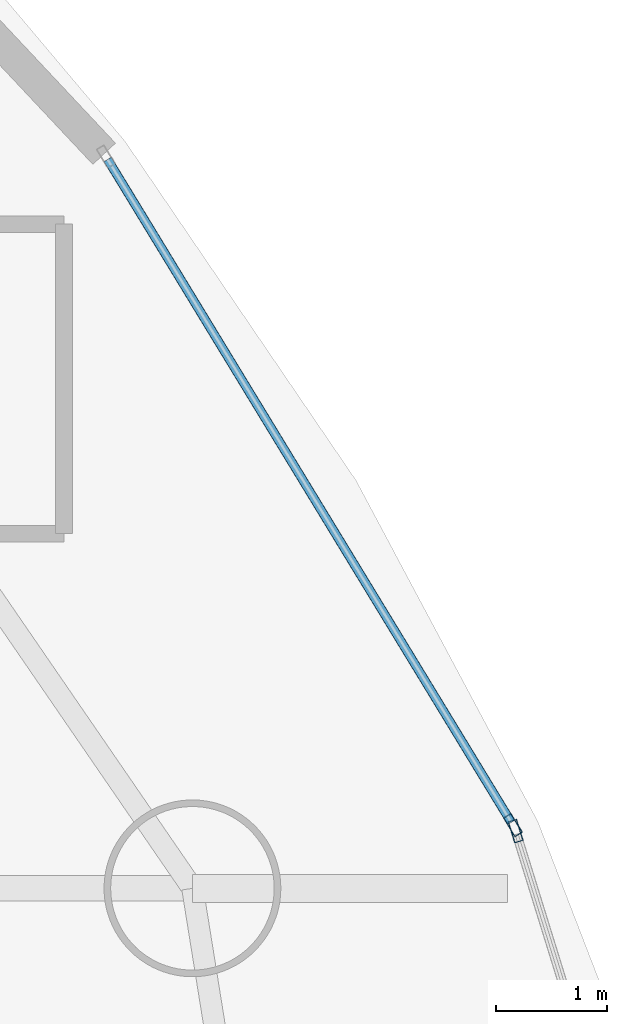
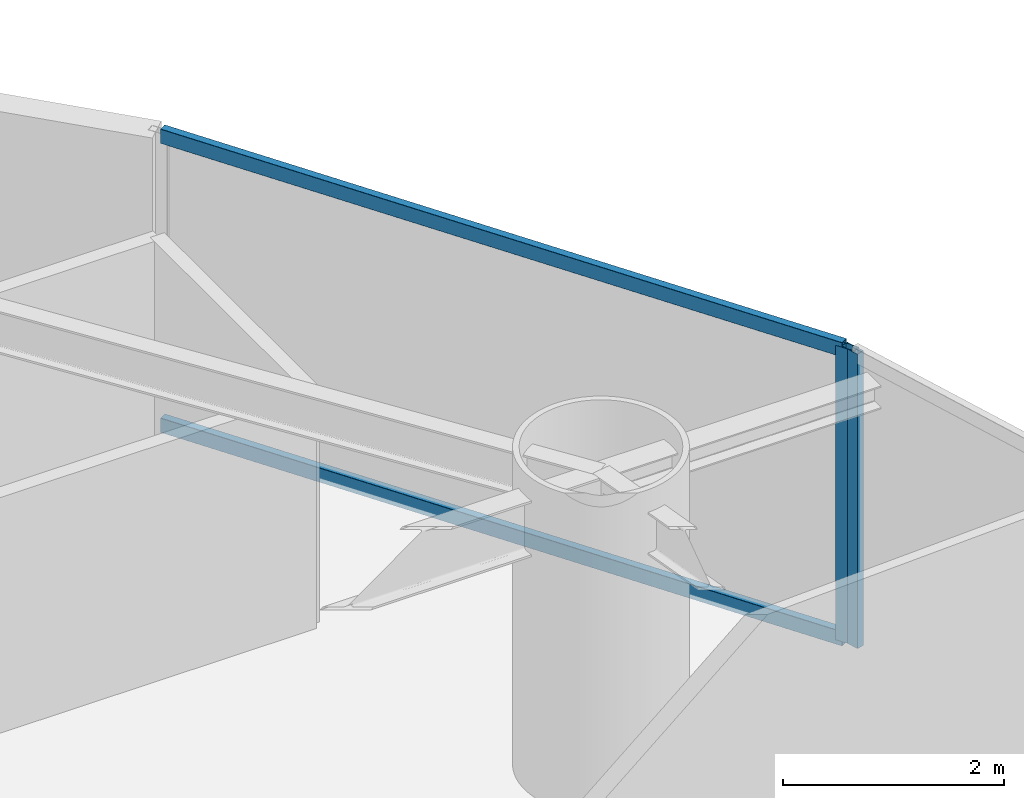
# One storey, part 15 of 30: 4 members, 2 elements without a shape of their own.
"""IFC4 building model written with IfcOpenShell, lengths in metres."""

import ifcopenshell
import ifcopenshell.guid

model = None  # the IFC model being written
_history = None  # IfcOwnerHistory: only IFC2X3 demands one
_inside = {}  # id of a spatial element -> (the spatial element, [elements in it])
_under = {}  # id of a project, library or spatial element -> (it, [spatial elements below it])
_declared = {}  # id of a project -> (the project, [libraries it declares])
_typed = {}  # id of a type object -> (the type object, [elements of that type])
_made_of = {}  # id of a material, layer set ... -> (it, [elements and type objects made of it])


def new_model(schema):
    """Start an empty IFC model of exactly this schema.

    Asked for "IFC4X3", IfcOpenShell would pick the latest addendum, in which some entities
    have other attributes; the version numbers below select the first issue.
    IFC2X3 requires an IfcOwnerHistory on every rooted entity: one is made here for all.
    """
    global model, _history
    if schema == "IFC4X3":
        model = ifcopenshell.file(schema_version=(4, 3, 0, 0))
    else:
        model = ifcopenshell.file(schema=schema)
    _inside.clear()
    _under.clear()
    _declared.clear()
    _typed.clear()
    _made_of.clear()
    _history = None
    if model.schema == "IFC2X3":
        org = make("IfcOrganization", Name="unknown")
        user = make(
            "IfcPersonAndOrganization",
            ThePerson=make("IfcPerson", FamilyName="unknown"),
            TheOrganization=org,
        )
        app = make(
            "IfcApplication",
            ApplicationDeveloper=org,
            Version="unknown",
            ApplicationFullName="unknown",
            ApplicationIdentifier="unknown",
        )
        _history = make(
            "IfcOwnerHistory",
            OwningUser=user,
            OwningApplication=app,
            ChangeAction="ADDED",
            CreationDate=0,
        )
    return model


def make(cls, **values):
    """One entity of the class cls with the attributes given. An attribute that is None is left unset."""
    return model.create_entity(
        cls, **{name: value for name, value in values.items() if value is not None}
    )


def rooted(cls, **values):
    """An entity with a GlobalId (a new one), such as an element, a storey or a relation."""
    return make(cls, GlobalId=ifcopenshell.guid.new(), OwnerHistory=_history, **values)


def si_unit(unit_type, name, prefix=None):
    """IfcSIUnit, for example si_unit("LENGTHUNIT", "METRE", prefix="MILLI")."""
    return make("IfcSIUnit", UnitType=unit_type, Prefix=prefix, Name=name)


def assignment(units):
    """IfcUnitAssignment: the units of a project."""
    return None if units is None else make("IfcUnitAssignment", Units=units)


def point(xyz):
    """IfcCartesianPoint."""
    return None if xyz is None else make("IfcCartesianPoint", Coordinates=xyz)


def direction(xyz):
    """IfcDirection."""
    return None if xyz is None else make("IfcDirection", DirectionRatios=xyz)


def frame(location, z_axis=None, x_axis=None):
    """IfcAxis2Placement3D, a coordinate frame: its origin and axes. An axis left out is left unset."""
    return make(
        "IfcAxis2Placement3D",
        Location=point(location),
        Axis=direction(z_axis),
        RefDirection=direction(x_axis),
    )


def frame_2d(location, x_axis=None):
    """IfcAxis2Placement2D, a coordinate frame in the plane: its origin and x axis."""
    return make(
        "IfcAxis2Placement2D", Location=point(location), RefDirection=direction(x_axis)
    )


def origin():
    """The frame at (0, 0, 0) with its axes left unset."""
    return frame((0.0, 0.0, 0.0))


def origin_2d():
    """The frame at (0, 0) in the plane with its x axis left unset."""
    return frame_2d((0.0, 0.0))


def place(relative_to, where):
    """IfcLocalPlacement: puts the frame where relative to a parent placement (None: the world)."""
    return make(
        "IfcLocalPlacement", PlacementRelTo=relative_to, RelativePlacement=where
    )


def context(
    kind, dimensions, precision=None, world=None, true_north=None, identifier=None
):
    """IfcGeometricRepresentationContext, for example the 3D "Model" context."""
    return make(
        "IfcGeometricRepresentationContext",
        ContextIdentifier=identifier,
        ContextType=kind,
        CoordinateSpaceDimension=dimensions,
        Precision=precision,
        WorldCoordinateSystem=world,
        TrueNorth=true_north,
    )


def subcontext(parent, identifier, kind, view, scale=None):
    """IfcGeometricRepresentationSubContext, for example "Body" below "Model"."""
    return make(
        "IfcGeometricRepresentationSubContext",
        ContextIdentifier=identifier,
        ContextType=kind,
        ParentContext=parent,
        TargetScale=scale,
        TargetView=view,
    )


def project(units=None, contexts=None):
    """IfcProject with its units and contexts."""
    return rooted(
        "IfcProject",
        Name="project",
        RepresentationContexts=contexts,
        UnitsInContext=assignment(units),
    )


def spatial(cls, under=None, at=None, **own):
    """A site, building, storey or space (cls), placed at a placement, below another one or the project."""
    s = rooted(cls, ObjectPlacement=at, **own)
    if under is not None:
        _under.setdefault(under.id(), (under, []))[1].append(s)
    return s


def profile(cls, at=None, kind="AREA", **sizes):
    """A parametric profile (cls). Its sizes go by their IFC names, for example OverallWidth=200.0."""
    return make(cls, ProfileType=kind, Position=at, **sizes)


def hollow_rectangle(**sizes):
    """IfcRectangleHollowProfileDef."""
    return profile("IfcRectangleHollowProfileDef", **sizes)


def extrude(swept, where, along, depth):
    """IfcExtrudedAreaSolid: the profile swept, set in the frame where, extruded along a direction by depth."""
    return make(
        "IfcExtrudedAreaSolid",
        SweptArea=swept,
        Position=where,
        ExtrudedDirection=direction(along),
        Depth=depth,
    )


def shape(context_of_items, identifier, shape_type, items):
    """IfcShapeRepresentation: the items that make up one representation, for example the "Body"."""
    return make(
        "IfcShapeRepresentation",
        ContextOfItems=context_of_items,
        RepresentationIdentifier=identifier,
        RepresentationType=shape_type,
        Items=items,
    )


def material(Name=None, Category=None):
    """IfcMaterial."""
    return make("IfcMaterial", Name=Name, Category=Category)


def layer(
    of_material, thickness, ventilated=None, Name=None, Category=None, Priority=None
):
    """IfcMaterialLayer: one layer of a wall or slab, of a material (None: an air gap)."""
    return make(
        "IfcMaterialLayer",
        Material=of_material,
        LayerThickness=thickness,
        IsVentilated=ventilated,
        Name=Name,
        Category=Category,
        Priority=Priority,
    )


def layer_set(layers, Name=None):
    """IfcMaterialLayerSet."""
    return make("IfcMaterialLayerSet", MaterialLayers=layers, LayerSetName=Name)


def material_profile(
    of_material, cross_section, Name=None, Category=None, Priority=None
):
    """IfcMaterialProfile: a cross section and its material."""
    return make(
        "IfcMaterialProfile",
        Name=Name,
        Material=of_material,
        Profile=cross_section,
        Priority=Priority,
        Category=Category,
    )


def profile_set(profiles, Name=None, composite=None):
    """IfcMaterialProfileSet."""
    return make(
        "IfcMaterialProfileSet",
        Name=Name,
        MaterialProfiles=profiles,
        CompositeProfile=composite,
    )


def made_of(thing, what):
    """Note that an element or type object is made of a material, layer set ...; save() writes the relation."""
    if what is not None:
        _made_of.setdefault(what.id(), (what, []))[1].append(thing)
    return thing


def type_object(cls, material=None, **own):
    """A type object (cls), such as IfcWallType, which elements share."""
    return made_of(rooted(cls, **own), material)


def element(
    cls,
    number,
    at=None,
    inside=None,
    cuts=None,
    type_object=None,
    material=None,
    context=None,
    identifier="Body",
    shape_type=None,
    held_by="IfcProductDefinitionShape",
    body=None,
    shapes=None,
    **own,
):
    """One element of the class cls, such as IfcWall. Its Tag is "e" and its number.

    at: its placement. inside: the storey or other place that contains it. cuts: it is an
    opening in that element (IfcRelVoidsElement). A single representation is given by context,
    identifier, shape_type and body (its items); several are given by shapes. held_by: the class
    of the entity that holds the representations. save() writes the other relations.
    """
    e = rooted(cls, Tag="e%d" % number, ObjectPlacement=at, **own)
    if body is not None:
        shapes = [shape(context, identifier, shape_type, body)]
    if shapes is not None:
        e.Representation = make(held_by, Representations=shapes)
    if inside is not None:
        _inside.setdefault(inside.id(), (inside, []))[1].append(e)
    if cuts is not None:
        rooted(
            "IfcRelVoidsElement", RelatingBuildingElement=cuts, RelatedOpeningElement=e
        )
    if type_object is not None:
        _typed.setdefault(type_object.id(), (type_object, []))[1].append(e)
    return made_of(e, material)


def aggregate(whole, parts):
    """IfcRelAggregates: a whole, such as a stair, and the parts it consists of."""
    return rooted("IfcRelAggregates", RelatingObject=whole, RelatedObjects=parts)


def save(model, path):
    """Write the relations noted so far, then the file.

    IfcRelAggregates (storeys below a building ...), IfcRelContainedInSpatialStructure (elements
    in a storey), IfcRelDefinesByType, IfcRelAssociatesMaterial and IfcRelDeclares: one each for
    every whole, place, type object, material and project.
    """
    for whole, parts in _under.values():
        aggregate(whole, parts)
    for where, things in _inside.values():
        rooted(
            "IfcRelContainedInSpatialStructure",
            RelatedElements=things,
            RelatingStructure=where,
        )
    for kind, things in _typed.values():
        rooted("IfcRelDefinesByType", RelatedObjects=things, RelatingType=kind)
    for what, things in _made_of.values():
        rooted("IfcRelAssociatesMaterial", RelatedObjects=things, RelatingMaterial=what)
    for by, libraries in _declared.values():
        rooted("IfcRelDeclares", RelatingContext=by, RelatedDefinitions=libraries)
    model.write(path)


model = new_model("IFC4")

# Units and contexts
model_context = context("Model", 3, precision=1e-05, world=origin(), true_north=direction((0.0, 1.0)))
body_context = subcontext(model_context, "Body", "Model", "MODEL_VIEW")
ifc_project = project(units=[si_unit("LENGTHUNIT", "METRE"), si_unit("AREAUNIT", "SQUARE_METRE"), si_unit("VOLUMEUNIT", "CUBIC_METRE"), si_unit("PLANEANGLEUNIT", "RADIAN"), si_unit("MASSUNIT", "GRAM", prefix="KILO")], contexts=[model_context])

# Site, building, storey
site_placement = place(None, origin())
site = spatial("IfcSite", under=ifc_project, at=site_placement, CompositionType="ELEMENT")
building_placement = place(site_placement, origin())
building = spatial("IfcBuilding", under=site, at=building_placement, Name="Bramvorn Convention Spire", CompositionType="ELEMENT")
storey_placement = place(building_placement, frame((0.0, 0.0, 86.89990234375)))
storey = spatial("IfcBuildingStorey", under=building, at=storey_placement, Name="L20", CompositionType="ELEMENT", Elevation=86.89990234375)

# Curtain wall, member
ifc_material_1 = material(Name="Anodised Bronze Unitised Curtain Wall", Category="aluminium")
ifc_layer = layer(ifc_material_1, 0.179931640625)
ifc_layer_set = layer_set([ifc_layer], Name="Anodised Bronze Unitised Curtain Wall - CW-HTL-FRIT")
curtain_wall_type = type_object("IfcCurtainWallType", Name="CW-HTL-FRIT", PredefinedType="USERDEFINED", material=ifc_layer_set)
curtain_wall_1_placement = place(storey_placement, origin())
curtain_wall_1 = element("IfcCurtainWall", 1, at=curtain_wall_1_placement, inside=storey, type_object=curtain_wall_type, Name="L20 fritted glass curtain wall 02", ObjectType="UNITISED CURTAIN WALL", PredefinedType="USERDEFINED")
ifc_material_2 = material(Name="Anodised Bronze Aluminium 6063-T6", Category="aluminium")
ifc_material_profile_1 = material_profile(ifc_material_2, hollow_rectangle(XDim=0.080078125, YDim=0.199951171875, WallThickness=0.00390625, InnerFilletRadius=0.0009765625, OuterFilletRadius=0.00390625, at=origin_2d()))
ifc_profile_set_1 = profile_set([ifc_material_profile_1], Name="Anodised Bronze Aluminium 6063-T6 - CWM80X200")
member_type_1 = type_object("IfcMemberType", Name="CW-MUL-180", PredefinedType="MULLION", material=ifc_profile_set_1)
member_1_placement = place(storey_placement, frame((68.263427734375, 29.85791015625, 0.0), z_axis=(0.0, 0.0, 1.0), x_axis=(0.95516715956, 0.296067048654, 0.0)))
member_1 = element("IfcMember", 2, at=member_1_placement, type_object=member_type_1, Name="CW2 mullion 1", PredefinedType="MULLION", context=body_context, shape_type="SweptSolid", body=[
    extrude(hollow_rectangle(XDim=0.080078125, YDim=0.199951171875, WallThickness=0.00390625, InnerFilletRadius=0.0009765625, OuterFilletRadius=0.00390625, at=origin_2d()), origin(), (0.0, 0.0, 1.0), 3.25),
])
aggregate(curtain_wall_1, [member_1])

# Curtain wall, members
curtain_wall_2_placement = place(storey_placement, origin())
curtain_wall_2 = element("IfcCurtainWall", 3, at=curtain_wall_2_placement, inside=storey, type_object=curtain_wall_type, Name="L20 fritted glass curtain wall 03", ObjectType="UNITISED CURTAIN WALL", PredefinedType="USERDEFINED")
member_2_placement = place(storey_placement, frame((68.239013671875, 29.912109375, 0.0), z_axis=(0.0, 0.0, 1.0), x_axis=(0.854125823328, 0.52006641684, 0.0)))
member_2 = element("IfcMember", 4, at=member_2_placement, type_object=member_type_1, Name="CW2 mullion 2", PredefinedType="MULLION", context=body_context, shape_type="SweptSolid", body=[
    extrude(hollow_rectangle(XDim=0.080078125, YDim=0.199951171875, WallThickness=0.00390625, InnerFilletRadius=0.0009765625, OuterFilletRadius=0.00390625, at=origin_2d()), origin(), (0.0, 0.0, 1.0), 3.25),
])
ifc_material_profile_2 = material_profile(ifc_material_2, hollow_rectangle(XDim=0.080078125, YDim=0.159912109375, WallThickness=0.00390625, InnerFilletRadius=0.0009765625, OuterFilletRadius=0.00390625, at=origin_2d()))
ifc_profile_set_2 = profile_set([ifc_material_profile_2], Name="Anodised Bronze Aluminium 6063-T6 - CWT80X160")
member_type_2 = type_object("IfcMemberType", Name="CW-TRN-150", PredefinedType="USERDEFINED", material=ifc_profile_set_2)
member_3_placement = place(storey_placement, frame((64.571044921875, 35.93603515625, 0.030029296875), z_axis=(0.520072667848, -0.854122017136, 0.0), x_axis=(0.854122017136, 0.520072667848, 0.0)))
member_3 = element("IfcMember", 5, at=member_3_placement, type_object=member_type_2, Name="CW2 transom 1.1", ObjectType="TRANSOM", PredefinedType="USERDEFINED", context=body_context, shape_type="SweptSolid", body=[
    extrude(hollow_rectangle(XDim=0.080078125, YDim=0.159912109375, WallThickness=0.00390625, InnerFilletRadius=0.0009765625, OuterFilletRadius=0.00390625, at=origin_2d()), origin(), (0.0, 0.0, 1.0), 7.022705078125),
])
member_4_placement = place(storey_placement, frame((64.571044921875, 35.93603515625, 3.22021484375), z_axis=(0.520072667848, -0.854122017136, 0.0), x_axis=(0.854122017136, 0.520072667848, 0.0)))
member_4 = element("IfcMember", 6, at=member_4_placement, type_object=member_type_2, Name="CW2 transom 1.2", ObjectType="TRANSOM", PredefinedType="USERDEFINED", context=body_context, shape_type="SweptSolid", body=[
    extrude(hollow_rectangle(XDim=0.080078125, YDim=0.159912109375, WallThickness=0.00390625, InnerFilletRadius=0.0009765625, OuterFilletRadius=0.00390625, at=origin_2d()), origin(), (0.0, 0.0, 1.0), 7.022705078125),
])
aggregate(curtain_wall_2, [member_2, member_3, member_4])

save(model, "model.ifc")
